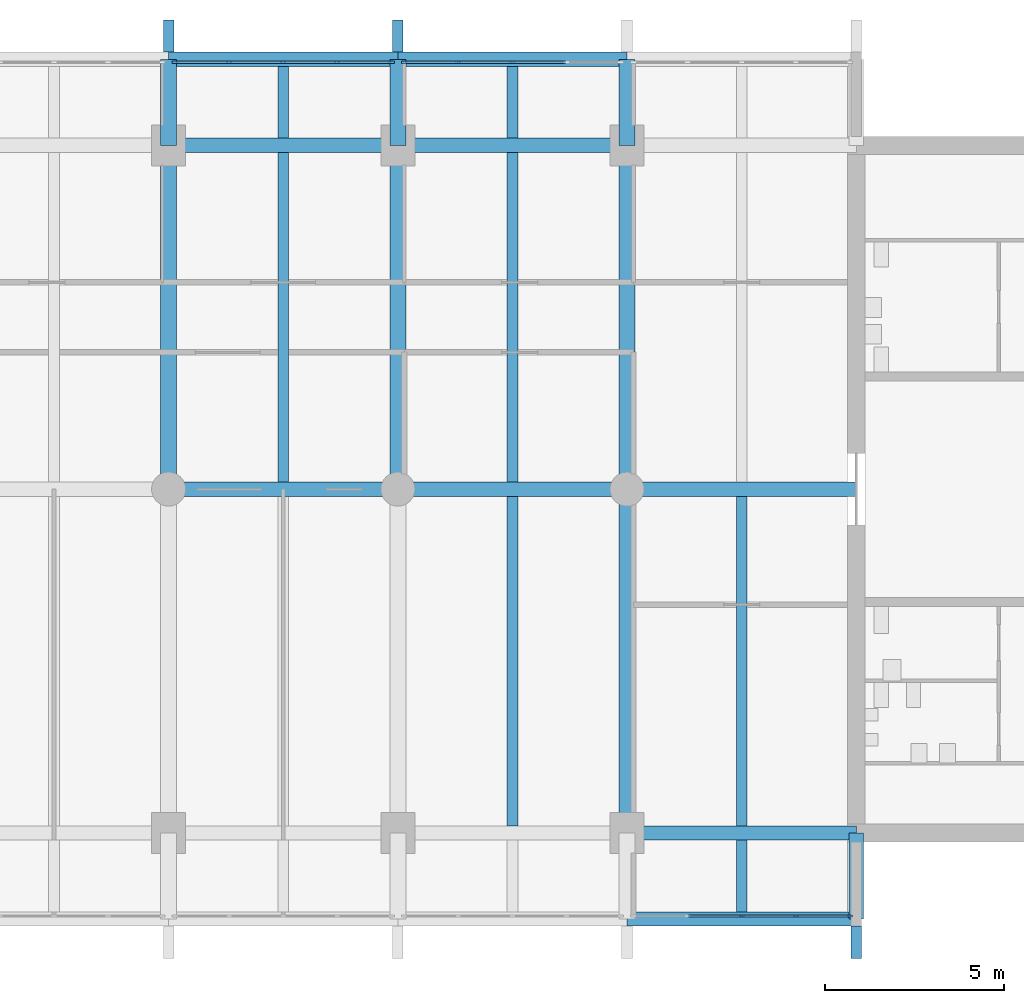
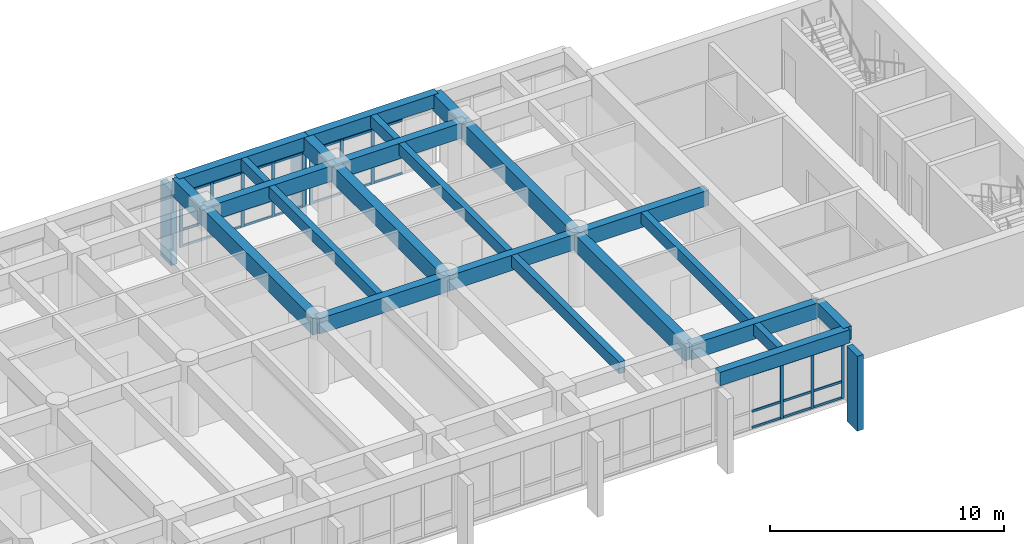
# One storey, part 5 of 15: 44 members, 24 beams, 3 elements without a shape of their own.
"""IFC4 building model written with IfcOpenShell, lengths in metres."""

import ifcopenshell
import ifcopenshell.guid

model = None  # the IFC model being written
_history = None  # IfcOwnerHistory: only IFC2X3 demands one
_inside = {}  # id of a spatial element -> (the spatial element, [elements in it])
_under = {}  # id of a project, library or spatial element -> (it, [spatial elements below it])
_declared = {}  # id of a project -> (the project, [libraries it declares])
_typed = {}  # id of a type object -> (the type object, [elements of that type])
_made_of = {}  # id of a material, layer set ... -> (it, [elements and type objects made of it])


def new_model(schema):
    """Start an empty IFC model of exactly this schema.

    Asked for "IFC4X3", IfcOpenShell would pick the latest addendum, in which some entities
    have other attributes; the version numbers below select the first issue.
    IFC2X3 requires an IfcOwnerHistory on every rooted entity: one is made here for all.
    """
    global model, _history
    if schema == "IFC4X3":
        model = ifcopenshell.file(schema_version=(4, 3, 0, 0))
    else:
        model = ifcopenshell.file(schema=schema)
    _inside.clear()
    _under.clear()
    _declared.clear()
    _typed.clear()
    _made_of.clear()
    _history = None
    if model.schema == "IFC2X3":
        org = make("IfcOrganization", Name="unknown")
        user = make(
            "IfcPersonAndOrganization",
            ThePerson=make("IfcPerson", FamilyName="unknown"),
            TheOrganization=org,
        )
        app = make(
            "IfcApplication",
            ApplicationDeveloper=org,
            Version="unknown",
            ApplicationFullName="unknown",
            ApplicationIdentifier="unknown",
        )
        _history = make(
            "IfcOwnerHistory",
            OwningUser=user,
            OwningApplication=app,
            ChangeAction="ADDED",
            CreationDate=0,
        )
    return model


def make(cls, **values):
    """One entity of the class cls with the attributes given. An attribute that is None is left unset."""
    return model.create_entity(
        cls, **{name: value for name, value in values.items() if value is not None}
    )


def rooted(cls, **values):
    """An entity with a GlobalId (a new one), such as an element, a storey or a relation."""
    return make(cls, GlobalId=ifcopenshell.guid.new(), OwnerHistory=_history, **values)


def si_unit(unit_type, name, prefix=None):
    """IfcSIUnit, for example si_unit("LENGTHUNIT", "METRE", prefix="MILLI")."""
    return make("IfcSIUnit", UnitType=unit_type, Prefix=prefix, Name=name)


def assignment(units):
    """IfcUnitAssignment: the units of a project."""
    return None if units is None else make("IfcUnitAssignment", Units=units)


def point(xyz):
    """IfcCartesianPoint."""
    return None if xyz is None else make("IfcCartesianPoint", Coordinates=xyz)


def direction(xyz):
    """IfcDirection."""
    return None if xyz is None else make("IfcDirection", DirectionRatios=xyz)


def frame(location, z_axis=None, x_axis=None):
    """IfcAxis2Placement3D, a coordinate frame: its origin and axes. An axis left out is left unset."""
    return make(
        "IfcAxis2Placement3D",
        Location=point(location),
        Axis=direction(z_axis),
        RefDirection=direction(x_axis),
    )


def frame_2d(location, x_axis=None):
    """IfcAxis2Placement2D, a coordinate frame in the plane: its origin and x axis."""
    return make(
        "IfcAxis2Placement2D", Location=point(location), RefDirection=direction(x_axis)
    )


def origin():
    """The frame at (0, 0, 0) with its axes left unset."""
    return frame((0.0, 0.0, 0.0))


def origin_2d():
    """The frame at (0, 0) in the plane with its x axis left unset."""
    return frame_2d((0.0, 0.0))


def place(relative_to, where):
    """IfcLocalPlacement: puts the frame where relative to a parent placement (None: the world)."""
    return make(
        "IfcLocalPlacement", PlacementRelTo=relative_to, RelativePlacement=where
    )


def context(
    kind, dimensions, precision=None, world=None, true_north=None, identifier=None
):
    """IfcGeometricRepresentationContext, for example the 3D "Model" context."""
    return make(
        "IfcGeometricRepresentationContext",
        ContextIdentifier=identifier,
        ContextType=kind,
        CoordinateSpaceDimension=dimensions,
        Precision=precision,
        WorldCoordinateSystem=world,
        TrueNorth=true_north,
    )


def subcontext(parent, identifier, kind, view, scale=None):
    """IfcGeometricRepresentationSubContext, for example "Body" below "Model"."""
    return make(
        "IfcGeometricRepresentationSubContext",
        ContextIdentifier=identifier,
        ContextType=kind,
        ParentContext=parent,
        TargetScale=scale,
        TargetView=view,
    )


def project(units=None, contexts=None):
    """IfcProject with its units and contexts."""
    return rooted(
        "IfcProject",
        Name="project",
        RepresentationContexts=contexts,
        UnitsInContext=assignment(units),
    )


def spatial(cls, under=None, at=None, **own):
    """A site, building, storey or space (cls), placed at a placement, below another one or the project."""
    s = rooted(cls, ObjectPlacement=at, **own)
    if under is not None:
        _under.setdefault(under.id(), (under, []))[1].append(s)
    return s


def profile(cls, at=None, kind="AREA", **sizes):
    """A parametric profile (cls). Its sizes go by their IFC names, for example OverallWidth=200.0."""
    return make(cls, ProfileType=kind, Position=at, **sizes)


def rectangle(**sizes):
    """IfcRectangleProfileDef."""
    return profile("IfcRectangleProfileDef", **sizes)


def extrude(swept, where, along, depth):
    """IfcExtrudedAreaSolid: the profile swept, set in the frame where, extruded along a direction by depth."""
    return make(
        "IfcExtrudedAreaSolid",
        SweptArea=swept,
        Position=where,
        ExtrudedDirection=direction(along),
        Depth=depth,
    )


def shape(context_of_items, identifier, shape_type, items):
    """IfcShapeRepresentation: the items that make up one representation, for example the "Body"."""
    return make(
        "IfcShapeRepresentation",
        ContextOfItems=context_of_items,
        RepresentationIdentifier=identifier,
        RepresentationType=shape_type,
        Items=items,
    )


def material(Name=None, Category=None):
    """IfcMaterial."""
    return make("IfcMaterial", Name=Name, Category=Category)


def layer(
    of_material, thickness, ventilated=None, Name=None, Category=None, Priority=None
):
    """IfcMaterialLayer: one layer of a wall or slab, of a material (None: an air gap)."""
    return make(
        "IfcMaterialLayer",
        Material=of_material,
        LayerThickness=thickness,
        IsVentilated=ventilated,
        Name=Name,
        Category=Category,
        Priority=Priority,
    )


def layer_set(layers, Name=None):
    """IfcMaterialLayerSet."""
    return make("IfcMaterialLayerSet", MaterialLayers=layers, LayerSetName=Name)


def material_profile(
    of_material, cross_section, Name=None, Category=None, Priority=None
):
    """IfcMaterialProfile: a cross section and its material."""
    return make(
        "IfcMaterialProfile",
        Name=Name,
        Material=of_material,
        Profile=cross_section,
        Priority=Priority,
        Category=Category,
    )


def profile_set(profiles, Name=None, composite=None):
    """IfcMaterialProfileSet."""
    return make(
        "IfcMaterialProfileSet",
        Name=Name,
        MaterialProfiles=profiles,
        CompositeProfile=composite,
    )


def made_of(thing, what):
    """Note that an element or type object is made of a material, layer set ...; save() writes the relation."""
    if what is not None:
        _made_of.setdefault(what.id(), (what, []))[1].append(thing)
    return thing


def type_object(cls, material=None, **own):
    """A type object (cls), such as IfcWallType, which elements share."""
    return made_of(rooted(cls, **own), material)


def element(
    cls,
    number,
    at=None,
    inside=None,
    cuts=None,
    type_object=None,
    material=None,
    context=None,
    identifier="Body",
    shape_type=None,
    held_by="IfcProductDefinitionShape",
    body=None,
    shapes=None,
    **own,
):
    """One element of the class cls, such as IfcWall. Its Tag is "e" and its number.

    at: its placement. inside: the storey or other place that contains it. cuts: it is an
    opening in that element (IfcRelVoidsElement). A single representation is given by context,
    identifier, shape_type and body (its items); several are given by shapes. held_by: the class
    of the entity that holds the representations. save() writes the other relations.
    """
    e = rooted(cls, Tag="e%d" % number, ObjectPlacement=at, **own)
    if body is not None:
        shapes = [shape(context, identifier, shape_type, body)]
    if shapes is not None:
        e.Representation = make(held_by, Representations=shapes)
    if inside is not None:
        _inside.setdefault(inside.id(), (inside, []))[1].append(e)
    if cuts is not None:
        rooted(
            "IfcRelVoidsElement", RelatingBuildingElement=cuts, RelatedOpeningElement=e
        )
    if type_object is not None:
        _typed.setdefault(type_object.id(), (type_object, []))[1].append(e)
    return made_of(e, material)


def aggregate(whole, parts):
    """IfcRelAggregates: a whole, such as a stair, and the parts it consists of."""
    return rooted("IfcRelAggregates", RelatingObject=whole, RelatedObjects=parts)


def save(model, path):
    """Write the relations noted so far, then the file.

    IfcRelAggregates (storeys below a building ...), IfcRelContainedInSpatialStructure (elements
    in a storey), IfcRelDefinesByType, IfcRelAssociatesMaterial and IfcRelDeclares: one each for
    every whole, place, type object, material and project.
    """
    for whole, parts in _under.values():
        aggregate(whole, parts)
    for where, things in _inside.values():
        rooted(
            "IfcRelContainedInSpatialStructure",
            RelatedElements=things,
            RelatingStructure=where,
        )
    for kind, things in _typed.values():
        rooted("IfcRelDefinesByType", RelatedObjects=things, RelatingType=kind)
    for what, things in _made_of.values():
        rooted("IfcRelAssociatesMaterial", RelatedObjects=things, RelatingMaterial=what)
    for by, libraries in _declared.values():
        rooted("IfcRelDeclares", RelatingContext=by, RelatedDefinitions=libraries)
    model.write(path)


model = new_model("IFC4")

# Units and contexts
model_context = context("Model", 3, precision=1e-05, world=origin(), true_north=direction((0.0, 1.0)))
body_context = subcontext(model_context, "Body", "Model", "MODEL_VIEW")
ifc_project = project(units=[si_unit("LENGTHUNIT", "METRE"), si_unit("AREAUNIT", "SQUARE_METRE"), si_unit("VOLUMEUNIT", "CUBIC_METRE"), si_unit("PLANEANGLEUNIT", "RADIAN"), si_unit("MASSUNIT", "GRAM", prefix="KILO")], contexts=[model_context])

# Site, building, storey
site_placement = place(None, origin())
site = spatial("IfcSite", under=ifc_project, at=site_placement, CompositionType="ELEMENT")
building_placement = place(site_placement, origin())
building = spatial("IfcBuilding", under=site, at=building_placement, Name="Fogon Plaza Fire Station and Headquarters Tower", CompositionType="ELEMENT")
storey_placement = place(building_placement, frame((0.0, 0.0, 40.5)))
storey = spatial("IfcBuildingStorey", under=building, at=storey_placement, Name="L10", CompositionType="ELEMENT", Elevation=40.5)

# Beams
ifc_material_1 = material(Name="Concrete C40", Category="concrete")
ifc_material_profile_1 = material_profile(ifc_material_1, rectangle(XDim=0.39990234375, YDim=0.699951171875, at=origin_2d()), Name="RC 400x700")
ifc_profile_set_1 = profile_set([ifc_material_profile_1], Name="Concrete C40")
beam_type_1 = type_object("IfcBeamType", Name="BEAM RC 400x700", PredefinedType="BEAM", material=ifc_profile_set_1)
for number, where, z_axis, x_axis, name in (
    (1, (57.60009765625, 31.199951171875, 3.330078125), (1.0, 0.0, 0.0), (0.0, 1.0, 0.0), "beam-L10-044"),
    (2, (44.800048828125, 55.199951171875, 3.330078125), (1.0, 0.0, 0.0), (0.0, 1.0, 0.0), "beam-L10-048"),
):
    element("IfcBeam", number, at=place(storey_placement, frame(where, z_axis=z_axis, x_axis=x_axis)), inside=storey, type_object=beam_type_1, Name=name, PredefinedType="BEAM", context=body_context, shape_type="SweptSolid", body=[
        extrude(rectangle(XDim=0.39990234375, YDim=0.699951171875, at=origin_2d()), origin(), (0.0, 0.0, 1.0), 6.39990234375),
    ])
beam_1_placement = place(storey_placement, frame((51.199951171875, 55.199951171875, 3.330078125), z_axis=(1.0, 0.0, 0.0), x_axis=(0.0, 1.0, 0.0)))
element("IfcBeam", 3, at=beam_1_placement, inside=storey, type_object=beam_type_1, Name="beam-L10-049", PredefinedType="BEAM", context=body_context, shape_type="SweptSolid", body=[
    extrude(rectangle(XDim=0.39990234375, YDim=0.699951171875, at=origin_2d()), origin(), (0.0, 0.0, 1.0), 6.400146484375),
])
ifc_material_2 = material(Name="Concrete C40", Category="concrete")
ifc_material_profile_2 = material_profile(ifc_material_2, rectangle(XDim=0.39990234375, YDim=0.699951171875, at=origin_2d()), Name="RC 400x700")
ifc_profile_set_2 = profile_set([ifc_material_profile_2], Name="Concrete C40")
beam_type_2 = type_object("IfcBeamType", Name="BEAM RC 400x700 SPAN 0.0 TO 3.0 M", PredefinedType="BEAM", material=ifc_profile_set_2)
beam_2_placement = place(storey_placement, frame((64.0, 31.199951171875, 3.330078125), z_axis=(0.0, 1.0, 0.0), x_axis=(-1.0, 0.0, 0.0)))
element("IfcBeam", 4, at=beam_2_placement, inside=storey, type_object=beam_type_2, Name="beam-L10-053", PredefinedType="BEAM", context=body_context, shape_type="SweptSolid", body=[
    extrude(rectangle(XDim=0.39990234375, YDim=0.699951171875, at=origin_2d()), origin(), (0.0, 0.0, 1.0), 2.400146484375),
])
ifc_material_3 = material(Name="Concrete C40", Category="concrete")
ifc_material_profile_3 = material_profile(ifc_material_3, rectangle(XDim=0.39990234375, YDim=0.800048828125, at=origin_2d()), Name="RC 400x800")
ifc_profile_set_3 = profile_set([ifc_material_profile_3], Name="Concrete C40")
beam_type_3 = type_object("IfcBeamType", Name="BEAM RC 400x800", PredefinedType="BEAM", material=ifc_profile_set_3)
for number, where, z_axis, x_axis, name in (
    (5, (57.60009765625, 33.60009765625, 3.280029296875), (1.0, 0.0, 0.0), (0.0, 1.0, 0.0), "beam-L10-026"),
    (6, (44.800048828125, 43.199951171875, 3.280029296875), (1.0, 0.0, 0.0), (0.0, 1.0, 0.0), "beam-L10-030"),
):
    element("IfcBeam", number, at=place(storey_placement, frame(where, z_axis=z_axis, x_axis=x_axis)), inside=storey, type_object=beam_type_3, Name=name, PredefinedType="BEAM", context=body_context, shape_type="SweptSolid", body=[
        extrude(rectangle(XDim=0.39990234375, YDim=0.800048828125, at=origin_2d()), origin(), (0.0, 0.0, 1.0), 6.39990234375),
    ])
beam_3_placement = place(storey_placement, frame((51.199951171875, 43.199951171875, 3.280029296875), z_axis=(1.0, 0.0, 0.0), x_axis=(0.0, 1.0, 0.0)))
element("IfcBeam", 7, at=beam_3_placement, inside=storey, type_object=beam_type_3, Name="beam-L10-031", PredefinedType="BEAM", context=body_context, shape_type="SweptSolid", body=[
    extrude(rectangle(XDim=0.39990234375, YDim=0.800048828125, at=origin_2d()), origin(), (0.0, 0.0, 1.0), 6.400146484375),
])
for number, where, z_axis, x_axis, name in (
    (8, (57.60009765625, 43.199951171875, 3.280029296875), (1.0, 0.0, 0.0), (0.0, 1.0, 0.0), "beam-L10-032"),
    (9, (44.800048828125, 52.800048828125, 3.280029296875), (1.0, 0.0, 0.0), (0.0, 1.0, 0.0), "beam-L10-036"),
):
    element("IfcBeam", number, at=place(storey_placement, frame(where, z_axis=z_axis, x_axis=x_axis)), inside=storey, type_object=beam_type_3, Name=name, PredefinedType="BEAM", context=body_context, shape_type="SweptSolid", body=[
        extrude(rectangle(XDim=0.39990234375, YDim=0.800048828125, at=origin_2d()), origin(), (0.0, 0.0, 1.0), 6.39990234375),
    ])
beam_4_placement = place(storey_placement, frame((51.199951171875, 52.800048828125, 3.280029296875), z_axis=(1.0, 0.0, 0.0), x_axis=(0.0, 1.0, 0.0)))
element("IfcBeam", 10, at=beam_4_placement, inside=storey, type_object=beam_type_3, Name="beam-L10-037", PredefinedType="BEAM", context=body_context, shape_type="SweptSolid", body=[
    extrude(rectangle(XDim=0.39990234375, YDim=0.800048828125, at=origin_2d()), origin(), (0.0, 0.0, 1.0), 6.400146484375),
])
ifc_material_4 = material(Name="Concrete C40", Category="concrete")
ifc_material_profile_4 = material_profile(ifc_material_4, rectangle(XDim=0.449951171875, YDim=0.89990234375, at=origin_2d()), Name="RC 450x900")
ifc_profile_set_4 = profile_set([ifc_material_profile_4], Name="Concrete C40")
beam_type_4 = type_object("IfcBeamType", Name="BEAM RC 450x900", PredefinedType="BEAM", material=ifc_profile_set_4)
for number, where, z_axis, x_axis, name in (
    (11, (44.800048828125, 43.199951171875, 3.22998046875), (0.0, 1.0, 0.0), (-1.0, 0.0, 0.0), "beam-L10-011"),
    (12, (51.199951171875, 43.199951171875, 3.22998046875), (0.0, 1.0, 0.0), (-1.0, 0.0, 0.0), "beam-L10-015"),
):
    element("IfcBeam", number, at=place(storey_placement, frame(where, z_axis=z_axis, x_axis=x_axis)), inside=storey, type_object=beam_type_4, Name=name, PredefinedType="BEAM", context=body_context, shape_type="SweptSolid", body=[
        extrude(rectangle(XDim=0.449951171875, YDim=0.89990234375, at=origin_2d()), origin(), (0.0, 0.0, 1.0), 9.60009765625),
    ])
beam_5_placement = place(storey_placement, frame((57.60009765625, 33.60009765625, 3.22998046875), z_axis=(0.0, 1.0, 0.0), x_axis=(-1.0, 0.0, 0.0)))
element("IfcBeam", 13, at=beam_5_placement, inside=storey, type_object=beam_type_4, Name="beam-L10-018", PredefinedType="BEAM", context=body_context, shape_type="SweptSolid", body=[
    extrude(rectangle(XDim=0.449951171875, YDim=0.89990234375, at=origin_2d()), origin(), (0.0, 0.0, 1.0), 9.599853515625),
])
beam_6_placement = place(storey_placement, frame((57.60009765625, 43.199951171875, 3.22998046875), z_axis=(0.0, 1.0, 0.0), x_axis=(-1.0, 0.0, 0.0)))
element("IfcBeam", 14, at=beam_6_placement, inside=storey, type_object=beam_type_4, Name="beam-L10-019", PredefinedType="BEAM", context=body_context, shape_type="SweptSolid", body=[
    extrude(rectangle(XDim=0.449951171875, YDim=0.89990234375, at=origin_2d()), origin(), (0.0, 0.0, 1.0), 9.60009765625),
])
ifc_material_5 = material(Name="Concrete C40", Category="concrete")
ifc_material_profile_5 = material_profile(ifc_material_5, rectangle(XDim=0.449951171875, YDim=0.89990234375, at=origin_2d()), Name="RC 450x900")
ifc_profile_set_5 = profile_set([ifc_material_profile_5], Name="Concrete C40")
beam_type_5 = type_object("IfcBeamType", Name="BEAM RC 450x900 SPAN 0.0 TO 3.0 M", PredefinedType="BEAM", material=ifc_profile_set_5)
for number, where, z_axis, x_axis, name in (
    (15, (44.800048828125, 52.800048828125, 3.22998046875), (0.0, 1.0, 0.0), (-1.0, 0.0, 0.0), "beam-L10-012"),
    (16, (51.199951171875, 52.800048828125, 3.22998046875), (0.0, 1.0, 0.0), (-1.0, 0.0, 0.0), "beam-L10-016"),
    (17, (57.60009765625, 52.800048828125, 3.22998046875), (0.0, 1.0, 0.0), (-1.0, 0.0, 0.0), "beam-L10-020"),
):
    element("IfcBeam", number, at=place(storey_placement, frame(where, z_axis=z_axis, x_axis=x_axis)), inside=storey, type_object=beam_type_5, Name=name, PredefinedType="BEAM", context=body_context, shape_type="SweptSolid", body=[
        extrude(rectangle(XDim=0.449951171875, YDim=0.89990234375, at=origin_2d()), origin(), (0.0, 0.0, 1.0), 2.39990234375),
    ])

# Curtain wall, members
ifc_material_6 = material(Name="Aluminium and glass", Category="aluminium")
ifc_layer = layer(ifc_material_6, 0.14990234375)
ifc_layer_set = layer_set([ifc_layer], Name="Aluminium and glass")
curtain_wall_type = type_object("IfcCurtainWallType", Name="Unitised Curtain Wall Run 6100x2880", PredefinedType="NOTDEFINED", material=ifc_layer_set)
curtain_wall_1_placement = place(storey_placement, origin())
curtain_wall_1 = element("IfcCurtainWall", 18, at=curtain_wall_1_placement, inside=storey, type_object=curtain_wall_type, Name="CW-6100x2880 S6 L10", PredefinedType="NOTDEFINED")
ifc_material_7 = material(Name="Aluminium", Category="aluminium")
ifc_material_profile_6 = material_profile(ifc_material_7, rectangle(XDim=0.06005859375, YDim=0.159912109375, at=origin_2d()), Name="Curtain Wall Mullion 60x160")
ifc_profile_set_6 = profile_set([ifc_material_profile_6], Name="Aluminium")
member_type_1 = type_object("IfcMemberType", Name="Curtain Wall Mullion 60x160", PredefinedType="MULLION", material=ifc_profile_set_6)
member_1_placement = place(storey_placement, frame((60.800048828125, 31.280029296875, 0.0), z_axis=(0.0, 0.0, 1.0), x_axis=(0.0, 1.0, 0.0)))
member_1 = element("IfcMember", 19, at=member_1_placement, type_object=member_type_1, Name="CW-6100x2880 mullion 3", PredefinedType="MULLION", context=body_context, shape_type="SweptSolid", body=[
    extrude(rectangle(XDim=0.06005859375, YDim=0.159912109375, at=origin_2d()), origin(), (0.0, 0.0, 1.0), 2.8798828125),
])
member_2_placement = place(storey_placement, frame((62.31005859375, 31.280029296875, 0.0), z_axis=(0.0, 0.0, 1.0), x_axis=(0.0, 1.0, 0.0)))
member_2 = element("IfcMember", 20, at=member_2_placement, type_object=member_type_1, Name="CW-6100x2880 mullion 4", PredefinedType="MULLION", context=body_context, shape_type="SweptSolid", body=[
    extrude(rectangle(XDim=0.06005859375, YDim=0.159912109375, at=origin_2d()), origin(), (0.0, 0.0, 1.0), 2.8798828125),
])
member_3_placement = place(storey_placement, frame((63.820068359375, 31.280029296875, 0.0), z_axis=(0.0, 0.0, 1.0), x_axis=(0.0, 1.0, 0.0)))
member_3 = element("IfcMember", 21, at=member_3_placement, type_object=member_type_1, Name="CW-6100x2880 mullion 5", PredefinedType="MULLION", context=body_context, shape_type="SweptSolid", body=[
    extrude(rectangle(XDim=0.06005859375, YDim=0.159912109375, at=origin_2d()), origin(), (0.0, 0.0, 1.0), 2.8798828125),
])

curtain_wall_2_placement = place(storey_placement, origin())
curtain_wall_2 = element("IfcCurtainWall", 22, at=curtain_wall_2_placement, inside=storey, type_object=curtain_wall_type, Name="CW-6100x2880 N4 L10", PredefinedType="NOTDEFINED")
member_4_placement = place(storey_placement, frame((44.97998046875, 55.1201171875, 0.0), z_axis=(0.0, 0.0, 1.0), x_axis=(0.0, 1.0, 0.0)))
member_4 = element("IfcMember", 23, at=member_4_placement, type_object=member_type_1, Name="CW-6100x2880 mullion 1", PredefinedType="MULLION", context=body_context, shape_type="SweptSolid", body=[
    extrude(rectangle(XDim=0.06005859375, YDim=0.159912109375, at=origin_2d()), origin(), (0.0, 0.0, 1.0), 2.8798828125),
])
member_5_placement = place(storey_placement, frame((46.489990234375, 55.1201171875, 0.0), z_axis=(0.0, 0.0, 1.0), x_axis=(0.0, 1.0, 0.0)))
member_5 = element("IfcMember", 24, at=member_5_placement, type_object=member_type_1, Name="CW-6100x2880 mullion 2", PredefinedType="MULLION", context=body_context, shape_type="SweptSolid", body=[
    extrude(rectangle(XDim=0.06005859375, YDim=0.159912109375, at=origin_2d()), origin(), (0.0, 0.0, 1.0), 2.8798828125),
])
member_6_placement = place(storey_placement, frame((48.0, 55.1201171875, 0.0), z_axis=(0.0, 0.0, 1.0), x_axis=(0.0, 1.0, 0.0)))
member_6 = element("IfcMember", 25, at=member_6_placement, type_object=member_type_1, Name="CW-6100x2880 mullion 3", PredefinedType="MULLION", context=body_context, shape_type="SweptSolid", body=[
    extrude(rectangle(XDim=0.06005859375, YDim=0.159912109375, at=origin_2d()), origin(), (0.0, 0.0, 1.0), 2.8798828125),
])
member_7_placement = place(storey_placement, frame((49.510009765625, 55.1201171875, 0.0), z_axis=(0.0, 0.0, 1.0), x_axis=(0.0, 1.0, 0.0)))
member_7 = element("IfcMember", 26, at=member_7_placement, type_object=member_type_1, Name="CW-6100x2880 mullion 4", PredefinedType="MULLION", context=body_context, shape_type="SweptSolid", body=[
    extrude(rectangle(XDim=0.06005859375, YDim=0.159912109375, at=origin_2d()), origin(), (0.0, 0.0, 1.0), 2.8798828125),
])
member_8_placement = place(storey_placement, frame((51.02001953125, 55.1201171875, 0.0), z_axis=(0.0, 0.0, 1.0), x_axis=(0.0, 1.0, 0.0)))
member_8 = element("IfcMember", 27, at=member_8_placement, type_object=member_type_1, Name="CW-6100x2880 mullion 5", PredefinedType="MULLION", context=body_context, shape_type="SweptSolid", body=[
    extrude(rectangle(XDim=0.06005859375, YDim=0.159912109375, at=origin_2d()), origin(), (0.0, 0.0, 1.0), 2.8798828125),
])

curtain_wall_3_placement = place(storey_placement, origin())
curtain_wall_3 = element("IfcCurtainWall", 28, at=curtain_wall_3_placement, inside=storey, type_object=curtain_wall_type, Name="CW-6100x2880 N5 L10", PredefinedType="NOTDEFINED")
member_9_placement = place(storey_placement, frame((51.3798828125, 55.1201171875, 0.0), z_axis=(0.0, 0.0, 1.0), x_axis=(0.0, 1.0, 0.0)))
member_9 = element("IfcMember", 29, at=member_9_placement, type_object=member_type_1, Name="CW-6100x2880 mullion 1", PredefinedType="MULLION", context=body_context, shape_type="SweptSolid", body=[
    extrude(rectangle(XDim=0.06005859375, YDim=0.159912109375, at=origin_2d()), origin(), (0.0, 0.0, 1.0), 2.8798828125),
])
member_10_placement = place(storey_placement, frame((52.889892578125, 55.1201171875, 0.0), z_axis=(0.0, 0.0, 1.0), x_axis=(0.0, 1.0, 0.0)))
member_10 = element("IfcMember", 30, at=member_10_placement, type_object=member_type_1, Name="CW-6100x2880 mullion 2", PredefinedType="MULLION", context=body_context, shape_type="SweptSolid", body=[
    extrude(rectangle(XDim=0.06005859375, YDim=0.159912109375, at=origin_2d()), origin(), (0.0, 0.0, 1.0), 2.8798828125),
])
member_11_placement = place(storey_placement, frame((54.39990234375, 55.1201171875, 0.0), z_axis=(0.0, 0.0, 1.0), x_axis=(0.0, 1.0, 0.0)))
member_11 = element("IfcMember", 31, at=member_11_placement, type_object=member_type_1, Name="CW-6100x2880 mullion 3", PredefinedType="MULLION", context=body_context, shape_type="SweptSolid", body=[
    extrude(rectangle(XDim=0.06005859375, YDim=0.159912109375, at=origin_2d()), origin(), (0.0, 0.0, 1.0), 2.8798828125),
])

# Member
ifc_material_8 = material(Name="Aluminium", Category="aluminium")
ifc_material_profile_7 = material_profile(ifc_material_8, rectangle(XDim=0.06005859375, YDim=0.1201171875, at=origin_2d()), Name="Curtain Wall Transom 60x120")
ifc_profile_set_7 = profile_set([ifc_material_profile_7], Name="Aluminium")
member_type_2 = type_object("IfcMemberType", Name="Curtain Wall Transom 60x120", PredefinedType="USERDEFINED", material=ifc_profile_set_7)
member_12_placement = place(storey_placement, frame((59.320068359375, 31.280029296875, 0.06005859375), z_axis=(1.0, 0.0, 0.0), x_axis=(0.0, 1.0, 0.0)))
member_12 = element("IfcMember", 32, at=member_12_placement, type_object=member_type_2, Name="CW-6100x2880 transom 2.1", ObjectType="TRANSOM", PredefinedType="USERDEFINED", context=body_context, shape_type="SweptSolid", body=[
    extrude(rectangle(XDim=0.06005859375, YDim=0.1201171875, at=origin_2d()), origin(), (0.0, 0.0, 1.0), 1.449951171875),
])

member_13_placement = place(storey_placement, frame((59.320068359375, 31.280029296875, 0.89990234375), z_axis=(1.0, 0.0, 0.0), x_axis=(0.0, 1.0, 0.0)))
member_13 = element("IfcMember", 33, at=member_13_placement, type_object=member_type_2, Name="CW-6100x2880 transom 2.2", ObjectType="TRANSOM", PredefinedType="USERDEFINED", context=body_context, shape_type="SweptSolid", body=[
    extrude(rectangle(XDim=0.06005859375, YDim=0.1201171875, at=origin_2d()), origin(), (0.0, 0.0, 1.0), 1.449951171875),
])

member_14_placement = place(storey_placement, frame((59.320068359375, 31.280029296875, 2.820068359375), z_axis=(1.0, 0.0, 0.0), x_axis=(0.0, 1.0, 0.0)))
member_14 = element("IfcMember", 34, at=member_14_placement, type_object=member_type_2, Name="CW-6100x2880 transom 2.3", ObjectType="TRANSOM", PredefinedType="USERDEFINED", context=body_context, shape_type="SweptSolid", body=[
    extrude(rectangle(XDim=0.06005859375, YDim=0.1201171875, at=origin_2d()), origin(), (0.0, 0.0, 1.0), 1.449951171875),
])

member_15_placement = place(storey_placement, frame((60.830078125, 31.280029296875, 0.06005859375), z_axis=(1.0, 0.0, 0.0), x_axis=(0.0, 1.0, 0.0)))
member_15 = element("IfcMember", 35, at=member_15_placement, type_object=member_type_2, Name="CW-6100x2880 transom 3.1", ObjectType="TRANSOM", PredefinedType="USERDEFINED", context=body_context, shape_type="SweptSolid", body=[
    extrude(rectangle(XDim=0.06005859375, YDim=0.1201171875, at=origin_2d()), origin(), (0.0, 0.0, 1.0), 1.449951171875),
])

member_16_placement = place(storey_placement, frame((60.830078125, 31.280029296875, 0.89990234375), z_axis=(1.0, 0.0, 0.0), x_axis=(0.0, 1.0, 0.0)))
member_16 = element("IfcMember", 36, at=member_16_placement, type_object=member_type_2, Name="CW-6100x2880 transom 3.2", ObjectType="TRANSOM", PredefinedType="USERDEFINED", context=body_context, shape_type="SweptSolid", body=[
    extrude(rectangle(XDim=0.06005859375, YDim=0.1201171875, at=origin_2d()), origin(), (0.0, 0.0, 1.0), 1.449951171875),
])

member_17_placement = place(storey_placement, frame((60.830078125, 31.280029296875, 2.820068359375), z_axis=(1.0, 0.0, 0.0), x_axis=(0.0, 1.0, 0.0)))
member_17 = element("IfcMember", 37, at=member_17_placement, type_object=member_type_2, Name="CW-6100x2880 transom 3.3", ObjectType="TRANSOM", PredefinedType="USERDEFINED", context=body_context, shape_type="SweptSolid", body=[
    extrude(rectangle(XDim=0.06005859375, YDim=0.1201171875, at=origin_2d()), origin(), (0.0, 0.0, 1.0), 1.449951171875),
])

member_18_placement = place(storey_placement, frame((62.340087890625, 31.280029296875, 0.06005859375), z_axis=(1.0, 0.0, 0.0), x_axis=(0.0, 1.0, 0.0)))
member_18 = element("IfcMember", 38, at=member_18_placement, type_object=member_type_2, Name="CW-6100x2880 transom 4.1", ObjectType="TRANSOM", PredefinedType="USERDEFINED", context=body_context, shape_type="SweptSolid", body=[
    extrude(rectangle(XDim=0.06005859375, YDim=0.1201171875, at=origin_2d()), origin(), (0.0, 0.0, 1.0), 1.449951171875),
])

member_19_placement = place(storey_placement, frame((62.340087890625, 31.280029296875, 0.89990234375), z_axis=(1.0, 0.0, 0.0), x_axis=(0.0, 1.0, 0.0)))
member_19 = element("IfcMember", 39, at=member_19_placement, type_object=member_type_2, Name="CW-6100x2880 transom 4.2", ObjectType="TRANSOM", PredefinedType="USERDEFINED", context=body_context, shape_type="SweptSolid", body=[
    extrude(rectangle(XDim=0.06005859375, YDim=0.1201171875, at=origin_2d()), origin(), (0.0, 0.0, 1.0), 1.449951171875),
])

member_20_placement = place(storey_placement, frame((62.340087890625, 31.280029296875, 2.820068359375), z_axis=(1.0, 0.0, 0.0), x_axis=(0.0, 1.0, 0.0)))
member_20 = element("IfcMember", 40, at=member_20_placement, type_object=member_type_2, Name="CW-6100x2880 transom 4.3", ObjectType="TRANSOM", PredefinedType="USERDEFINED", context=body_context, shape_type="SweptSolid", body=[
    extrude(rectangle(XDim=0.06005859375, YDim=0.1201171875, at=origin_2d()), origin(), (0.0, 0.0, 1.0), 1.449951171875),
])

aggregate(curtain_wall_1, [member_1, member_2, member_3, member_12, member_13, member_14, member_15, member_16, member_17, member_18, member_19, member_20])

member_21_placement = place(storey_placement, frame((45.010009765625, 55.1201171875, 0.06005859375), z_axis=(1.0, 0.0, 0.0), x_axis=(0.0, 1.0, 0.0)))
member_21 = element("IfcMember", 41, at=member_21_placement, type_object=member_type_2, Name="CW-6100x2880 transom 1.1", ObjectType="TRANSOM", PredefinedType="USERDEFINED", context=body_context, shape_type="SweptSolid", body=[
    extrude(rectangle(XDim=0.06005859375, YDim=0.1201171875, at=origin_2d()), origin(), (0.0, 0.0, 1.0), 1.449951171875),
])

member_22_placement = place(storey_placement, frame((45.010009765625, 55.1201171875, 0.89990234375), z_axis=(1.0, 0.0, 0.0), x_axis=(0.0, 1.0, 0.0)))
member_22 = element("IfcMember", 42, at=member_22_placement, type_object=member_type_2, Name="CW-6100x2880 transom 1.2", ObjectType="TRANSOM", PredefinedType="USERDEFINED", context=body_context, shape_type="SweptSolid", body=[
    extrude(rectangle(XDim=0.06005859375, YDim=0.1201171875, at=origin_2d()), origin(), (0.0, 0.0, 1.0), 1.449951171875),
])

member_23_placement = place(storey_placement, frame((45.010009765625, 55.1201171875, 2.820068359375), z_axis=(1.0, 0.0, 0.0), x_axis=(0.0, 1.0, 0.0)))
member_23 = element("IfcMember", 43, at=member_23_placement, type_object=member_type_2, Name="CW-6100x2880 transom 1.3", ObjectType="TRANSOM", PredefinedType="USERDEFINED", context=body_context, shape_type="SweptSolid", body=[
    extrude(rectangle(XDim=0.06005859375, YDim=0.1201171875, at=origin_2d()), origin(), (0.0, 0.0, 1.0), 1.449951171875),
])

member_24_placement = place(storey_placement, frame((46.52001953125, 55.1201171875, 0.06005859375), z_axis=(1.0, 0.0, 0.0), x_axis=(0.0, 1.0, 0.0)))
member_24 = element("IfcMember", 44, at=member_24_placement, type_object=member_type_2, Name="CW-6100x2880 transom 2.1", ObjectType="TRANSOM", PredefinedType="USERDEFINED", context=body_context, shape_type="SweptSolid", body=[
    extrude(rectangle(XDim=0.06005859375, YDim=0.1201171875, at=origin_2d()), origin(), (0.0, 0.0, 1.0), 1.449951171875),
])

member_25_placement = place(storey_placement, frame((46.52001953125, 55.1201171875, 0.89990234375), z_axis=(1.0, 0.0, 0.0), x_axis=(0.0, 1.0, 0.0)))
member_25 = element("IfcMember", 45, at=member_25_placement, type_object=member_type_2, Name="CW-6100x2880 transom 2.2", ObjectType="TRANSOM", PredefinedType="USERDEFINED", context=body_context, shape_type="SweptSolid", body=[
    extrude(rectangle(XDim=0.06005859375, YDim=0.1201171875, at=origin_2d()), origin(), (0.0, 0.0, 1.0), 1.449951171875),
])

member_26_placement = place(storey_placement, frame((46.52001953125, 55.1201171875, 2.820068359375), z_axis=(1.0, 0.0, 0.0), x_axis=(0.0, 1.0, 0.0)))
member_26 = element("IfcMember", 46, at=member_26_placement, type_object=member_type_2, Name="CW-6100x2880 transom 2.3", ObjectType="TRANSOM", PredefinedType="USERDEFINED", context=body_context, shape_type="SweptSolid", body=[
    extrude(rectangle(XDim=0.06005859375, YDim=0.1201171875, at=origin_2d()), origin(), (0.0, 0.0, 1.0), 1.449951171875),
])

member_27_placement = place(storey_placement, frame((48.030029296875, 55.1201171875, 0.06005859375), z_axis=(1.0, 0.0, 0.0), x_axis=(0.0, 1.0, 0.0)))
member_27 = element("IfcMember", 47, at=member_27_placement, type_object=member_type_2, Name="CW-6100x2880 transom 3.1", ObjectType="TRANSOM", PredefinedType="USERDEFINED", context=body_context, shape_type="SweptSolid", body=[
    extrude(rectangle(XDim=0.06005859375, YDim=0.1201171875, at=origin_2d()), origin(), (0.0, 0.0, 1.0), 1.449951171875),
])

member_28_placement = place(storey_placement, frame((48.030029296875, 55.1201171875, 0.89990234375), z_axis=(1.0, 0.0, 0.0), x_axis=(0.0, 1.0, 0.0)))
member_28 = element("IfcMember", 48, at=member_28_placement, type_object=member_type_2, Name="CW-6100x2880 transom 3.2", ObjectType="TRANSOM", PredefinedType="USERDEFINED", context=body_context, shape_type="SweptSolid", body=[
    extrude(rectangle(XDim=0.06005859375, YDim=0.1201171875, at=origin_2d()), origin(), (0.0, 0.0, 1.0), 1.449951171875),
])

member_29_placement = place(storey_placement, frame((48.030029296875, 55.1201171875, 2.820068359375), z_axis=(1.0, 0.0, 0.0), x_axis=(0.0, 1.0, 0.0)))
member_29 = element("IfcMember", 49, at=member_29_placement, type_object=member_type_2, Name="CW-6100x2880 transom 3.3", ObjectType="TRANSOM", PredefinedType="USERDEFINED", context=body_context, shape_type="SweptSolid", body=[
    extrude(rectangle(XDim=0.06005859375, YDim=0.1201171875, at=origin_2d()), origin(), (0.0, 0.0, 1.0), 1.449951171875),
])

member_30_placement = place(storey_placement, frame((49.5400390625, 55.1201171875, 0.06005859375), z_axis=(1.0, 0.0, 0.0), x_axis=(0.0, 1.0, 0.0)))
member_30 = element("IfcMember", 50, at=member_30_placement, type_object=member_type_2, Name="CW-6100x2880 transom 4.1", ObjectType="TRANSOM", PredefinedType="USERDEFINED", context=body_context, shape_type="SweptSolid", body=[
    extrude(rectangle(XDim=0.06005859375, YDim=0.1201171875, at=origin_2d()), origin(), (0.0, 0.0, 1.0), 1.449951171875),
])

member_31_placement = place(storey_placement, frame((49.5400390625, 55.1201171875, 0.89990234375), z_axis=(1.0, 0.0, 0.0), x_axis=(0.0, 1.0, 0.0)))
member_31 = element("IfcMember", 51, at=member_31_placement, type_object=member_type_2, Name="CW-6100x2880 transom 4.2", ObjectType="TRANSOM", PredefinedType="USERDEFINED", context=body_context, shape_type="SweptSolid", body=[
    extrude(rectangle(XDim=0.06005859375, YDim=0.1201171875, at=origin_2d()), origin(), (0.0, 0.0, 1.0), 1.449951171875),
])

member_32_placement = place(storey_placement, frame((49.5400390625, 55.1201171875, 2.820068359375), z_axis=(1.0, 0.0, 0.0), x_axis=(0.0, 1.0, 0.0)))
member_32 = element("IfcMember", 52, at=member_32_placement, type_object=member_type_2, Name="CW-6100x2880 transom 4.3", ObjectType="TRANSOM", PredefinedType="USERDEFINED", context=body_context, shape_type="SweptSolid", body=[
    extrude(rectangle(XDim=0.06005859375, YDim=0.1201171875, at=origin_2d()), origin(), (0.0, 0.0, 1.0), 1.449951171875),
])

aggregate(curtain_wall_2, [member_4, member_5, member_6, member_7, member_8, member_21, member_22, member_23, member_24, member_25, member_26, member_27, member_28, member_29, member_30, member_31, member_32])

member_33_placement = place(storey_placement, frame((51.409912109375, 55.1201171875, 0.06005859375), z_axis=(1.0, 0.0, 0.0), x_axis=(0.0, 1.0, 0.0)))
member_33 = element("IfcMember", 53, at=member_33_placement, type_object=member_type_2, Name="CW-6100x2880 transom 1.1", ObjectType="TRANSOM", PredefinedType="USERDEFINED", context=body_context, shape_type="SweptSolid", body=[
    extrude(rectangle(XDim=0.06005859375, YDim=0.1201171875, at=origin_2d()), origin(), (0.0, 0.0, 1.0), 1.4501953125),
])

member_34_placement = place(storey_placement, frame((51.409912109375, 55.1201171875, 0.89990234375), z_axis=(1.0, 0.0, 0.0), x_axis=(0.0, 1.0, 0.0)))
member_34 = element("IfcMember", 54, at=member_34_placement, type_object=member_type_2, Name="CW-6100x2880 transom 1.2", ObjectType="TRANSOM", PredefinedType="USERDEFINED", context=body_context, shape_type="SweptSolid", body=[
    extrude(rectangle(XDim=0.06005859375, YDim=0.1201171875, at=origin_2d()), origin(), (0.0, 0.0, 1.0), 1.4501953125),
])

member_35_placement = place(storey_placement, frame((51.409912109375, 55.1201171875, 2.820068359375), z_axis=(1.0, 0.0, 0.0), x_axis=(0.0, 1.0, 0.0)))
member_35 = element("IfcMember", 55, at=member_35_placement, type_object=member_type_2, Name="CW-6100x2880 transom 1.3", ObjectType="TRANSOM", PredefinedType="USERDEFINED", context=body_context, shape_type="SweptSolid", body=[
    extrude(rectangle(XDim=0.06005859375, YDim=0.1201171875, at=origin_2d()), origin(), (0.0, 0.0, 1.0), 1.4501953125),
])

member_36_placement = place(storey_placement, frame((52.919921875, 55.1201171875, 0.06005859375), z_axis=(1.0, 0.0, 0.0), x_axis=(0.0, 1.0, 0.0)))
member_36 = element("IfcMember", 56, at=member_36_placement, type_object=member_type_2, Name="CW-6100x2880 transom 2.1", ObjectType="TRANSOM", PredefinedType="USERDEFINED", context=body_context, shape_type="SweptSolid", body=[
    extrude(rectangle(XDim=0.06005859375, YDim=0.1201171875, at=origin_2d()), origin(), (0.0, 0.0, 1.0), 1.4501953125),
])

member_37_placement = place(storey_placement, frame((52.919921875, 55.1201171875, 0.89990234375), z_axis=(1.0, 0.0, 0.0), x_axis=(0.0, 1.0, 0.0)))
member_37 = element("IfcMember", 57, at=member_37_placement, type_object=member_type_2, Name="CW-6100x2880 transom 2.2", ObjectType="TRANSOM", PredefinedType="USERDEFINED", context=body_context, shape_type="SweptSolid", body=[
    extrude(rectangle(XDim=0.06005859375, YDim=0.1201171875, at=origin_2d()), origin(), (0.0, 0.0, 1.0), 1.4501953125),
])

member_38_placement = place(storey_placement, frame((52.919921875, 55.1201171875, 2.820068359375), z_axis=(1.0, 0.0, 0.0), x_axis=(0.0, 1.0, 0.0)))
member_38 = element("IfcMember", 58, at=member_38_placement, type_object=member_type_2, Name="CW-6100x2880 transom 2.3", ObjectType="TRANSOM", PredefinedType="USERDEFINED", context=body_context, shape_type="SweptSolid", body=[
    extrude(rectangle(XDim=0.06005859375, YDim=0.1201171875, at=origin_2d()), origin(), (0.0, 0.0, 1.0), 1.4501953125),
])

member_39_placement = place(storey_placement, frame((54.429931640625, 55.1201171875, 0.06005859375), z_axis=(1.0, 0.0, 0.0), x_axis=(0.0, 1.0, 0.0)))
member_39 = element("IfcMember", 59, at=member_39_placement, type_object=member_type_2, Name="CW-6100x2880 transom 3.1", ObjectType="TRANSOM", PredefinedType="USERDEFINED", context=body_context, shape_type="SweptSolid", body=[
    extrude(rectangle(XDim=0.06005859375, YDim=0.1201171875, at=origin_2d()), origin(), (0.0, 0.0, 1.0), 1.449951171875),
])

member_40_placement = place(storey_placement, frame((54.429931640625, 55.1201171875, 0.89990234375), z_axis=(1.0, 0.0, 0.0), x_axis=(0.0, 1.0, 0.0)))
member_40 = element("IfcMember", 60, at=member_40_placement, type_object=member_type_2, Name="CW-6100x2880 transom 3.2", ObjectType="TRANSOM", PredefinedType="USERDEFINED", context=body_context, shape_type="SweptSolid", body=[
    extrude(rectangle(XDim=0.06005859375, YDim=0.1201171875, at=origin_2d()), origin(), (0.0, 0.0, 1.0), 1.449951171875),
])

member_41_placement = place(storey_placement, frame((54.429931640625, 55.1201171875, 2.820068359375), z_axis=(1.0, 0.0, 0.0), x_axis=(0.0, 1.0, 0.0)))
member_41 = element("IfcMember", 61, at=member_41_placement, type_object=member_type_2, Name="CW-6100x2880 transom 3.3", ObjectType="TRANSOM", PredefinedType="USERDEFINED", context=body_context, shape_type="SweptSolid", body=[
    extrude(rectangle(XDim=0.06005859375, YDim=0.1201171875, at=origin_2d()), origin(), (0.0, 0.0, 1.0), 1.449951171875),
])

aggregate(curtain_wall_3, [member_9, member_10, member_11, member_33, member_34, member_35, member_36, member_37, member_38, member_39, member_40, member_41])

# Beams
ifc_material_9 = material(Name="Concrete C40", Category="concrete")
ifc_material_profile_8 = material_profile(ifc_material_9, rectangle(XDim=0.300048828125, YDim=0.60009765625, at=origin_2d()), Name="RC 300x600")
ifc_profile_set_8 = profile_set([ifc_material_profile_8], Name="Concrete C40")
beam_type_6 = type_object("IfcBeamType", Name="JOIST RC 300x600", PredefinedType="JOIST", material=ifc_profile_set_8)
beam_7_placement = place(storey_placement, frame((48.0, 43.39990234375, 3.3798828125), z_axis=(0.0, 1.0, 0.0), x_axis=(-1.0, 0.0, 0.0)))
element("IfcBeam", 62, at=beam_7_placement, inside=storey, type_object=beam_type_6, Name="beam-L10-069", PredefinedType="JOIST", context=body_context, shape_type="SweptSolid", body=[
    extrude(rectangle(XDim=0.300048828125, YDim=0.60009765625, at=origin_2d()), origin(), (0.0, 0.0, 1.0), 9.2001953125),
])
beam_8_placement = place(storey_placement, frame((54.39990234375, 33.800048828125, 3.3798828125), z_axis=(0.0, 1.0, 0.0), x_axis=(-1.0, 0.0, 0.0)))
element("IfcBeam", 63, at=beam_8_placement, inside=storey, type_object=beam_type_6, Name="beam-L10-072", PredefinedType="JOIST", context=body_context, shape_type="SweptSolid", body=[
    extrude(rectangle(XDim=0.300048828125, YDim=0.60009765625, at=origin_2d()), origin(), (0.0, 0.0, 1.0), 9.199951171875),
])
beam_9_placement = place(storey_placement, frame((54.39990234375, 43.39990234375, 3.3798828125), z_axis=(0.0, 1.0, 0.0), x_axis=(-1.0, 0.0, 0.0)))
element("IfcBeam", 64, at=beam_9_placement, inside=storey, type_object=beam_type_6, Name="beam-L10-073", PredefinedType="JOIST", context=body_context, shape_type="SweptSolid", body=[
    extrude(rectangle(XDim=0.300048828125, YDim=0.60009765625, at=origin_2d()), origin(), (0.0, 0.0, 1.0), 9.2001953125),
])
beam_10_placement = place(storey_placement, frame((60.800048828125, 33.800048828125, 3.3798828125), z_axis=(0.0, 1.0, 0.0), x_axis=(-1.0, 0.0, 0.0)))
element("IfcBeam", 65, at=beam_10_placement, inside=storey, type_object=beam_type_6, Name="beam-L10-076", PredefinedType="JOIST", context=body_context, shape_type="SweptSolid", body=[
    extrude(rectangle(XDim=0.300048828125, YDim=0.60009765625, at=origin_2d()), origin(), (0.0, 0.0, 1.0), 9.199951171875),
])
ifc_material_10 = material(Name="Concrete C40", Category="concrete")
ifc_material_profile_9 = material_profile(ifc_material_10, rectangle(XDim=0.300048828125, YDim=0.60009765625, at=origin_2d()), Name="RC 300x600")
ifc_profile_set_9 = profile_set([ifc_material_profile_9], Name="Concrete C40")
beam_type_7 = type_object("IfcBeamType", Name="JOIST RC 300x600 SPAN 0.0 TO 3.0 M", PredefinedType="JOIST", material=ifc_profile_set_9)
for number, where, z_axis, x_axis, name in (
    (66, (48.0, 53.0, 3.3798828125), (0.0, 1.0, 0.0), (-1.0, 0.0, 0.0), "beam-L10-070"),
    (67, (54.39990234375, 53.0, 3.3798828125), (0.0, 1.0, 0.0), (-1.0, 0.0, 0.0), "beam-L10-074"),
    (68, (60.800048828125, 31.39990234375, 3.3798828125), (0.0, 1.0, 0.0), (-1.0, 0.0, 0.0), "beam-L10-075"),
):
    element("IfcBeam", number, at=place(storey_placement, frame(where, z_axis=z_axis, x_axis=x_axis)), inside=storey, type_object=beam_type_7, Name=name, PredefinedType="JOIST", context=body_context, shape_type="SweptSolid", body=[
        extrude(rectangle(XDim=0.300048828125, YDim=0.60009765625, at=origin_2d()), origin(), (0.0, 0.0, 1.0), 2.0),
    ])

# Members
ifc_material_11 = material(Name="Concrete C40 precast", Category="concrete")
ifc_material_profile_10 = material_profile(ifc_material_11, rectangle(XDim=0.300048828125, YDim=0.89990234375, at=origin_2d()), Name="Precast Concrete Post 300x900")
ifc_profile_set_10 = profile_set([ifc_material_profile_10], Name="Concrete C40 precast")
member_type_3 = type_object("IfcMemberType", Name="Precast Concrete Post 300x900", PredefinedType="POST", material=ifc_profile_set_10)
for number, where, z_axis, x_axis, name in (
    (69, (64.0, 30.550048828125, -1.02001953125), (0.0, 0.0, 1.0), (1.0, 0.0, 0.0), "Precast Post S L10"),
    (70, (44.800048828125, 55.85009765625, -1.02001953125), (0.0, 0.0, 1.0), (1.0, 0.0, 0.0), "Precast Post N L10"),
    (71, (51.199951171875, 55.85009765625, -1.02001953125), (0.0, 0.0, 1.0), (1.0, 0.0, 0.0), "Precast Post N L10"),
):
    element("IfcMember", number, at=place(storey_placement, frame(where, z_axis=z_axis, x_axis=x_axis)), inside=storey, type_object=member_type_3, Name=name, PredefinedType="POST", context=body_context, shape_type="SweptSolid", body=[
        extrude(rectangle(XDim=0.300048828125, YDim=0.89990234375, at=origin_2d()), origin(), (0.0, 0.0, 1.0), 3.89990234375),
    ])

save(model, "model.ifc")
